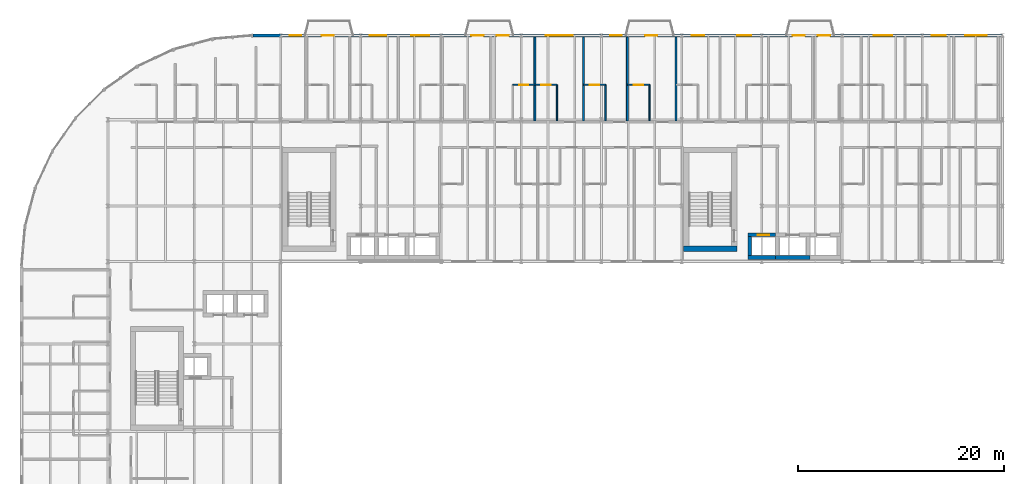
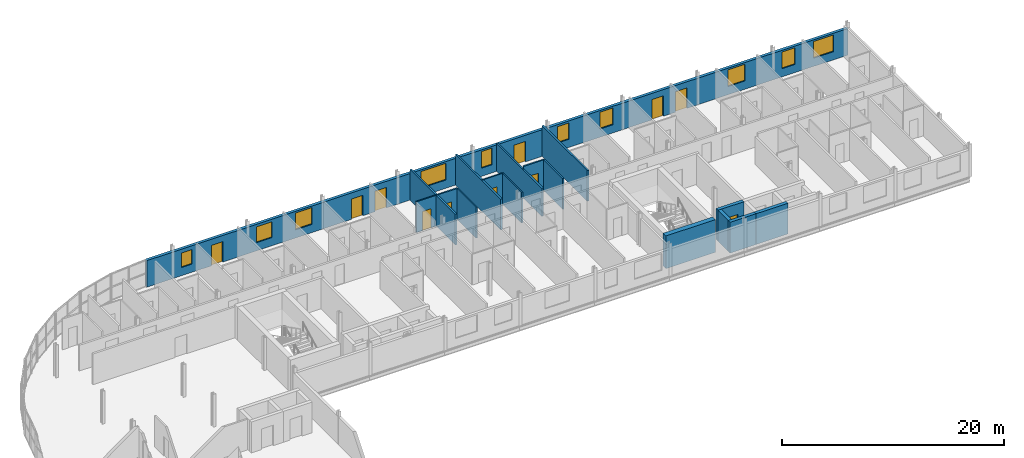
# One storey, part 19 of 25: 17 walls, 11 doors, 10 windows, 21 openings.
"""IFC4 building model written with IfcOpenShell, lengths in metres."""

from ifc_helpers import new_model, si_unit, direction, frame, frame_2d, origin, place, context, subcontext, project, spatial, rectangle, extrude, material, layer, layer_set, type_object, element, fill, save


model = new_model("IFC4")

# Units and contexts
model_context = context("Model", 3, precision=1e-05, world=origin(), true_north=direction((0.0, 1.0)))
body_context = subcontext(model_context, "Body", "Model", "MODEL_VIEW")
ifc_project = project(units=[si_unit("LENGTHUNIT", "METRE"), si_unit("AREAUNIT", "SQUARE_METRE"), si_unit("VOLUMEUNIT", "CUBIC_METRE"), si_unit("PLANEANGLEUNIT", "RADIAN"), si_unit("MASSUNIT", "GRAM", prefix="KILO")], contexts=[model_context])

# Site, building, storey
site_placement = place(None, origin())
site = spatial("IfcSite", under=ifc_project, at=site_placement, CompositionType="ELEMENT")
building_placement = place(site_placement, origin())
building = spatial("IfcBuilding", under=site, at=building_placement, Name="Sefraquen Railside Congress Hotel", CompositionType="ELEMENT")
storey_placement = place(building_placement, frame((0.0, 0.0, 39.0)))
storey = spatial("IfcBuildingStorey", under=building, at=storey_placement, Name="L09", CompositionType="ELEMENT", Elevation=39.0)

# Wall, opening, door
ifc_material_1 = material(Name="Concrete C50/60", Category="concrete")
ifc_layer_1 = layer(ifc_material_1, 0.35009765625)
ifc_layer_set_1 = layer_set([ifc_layer_1], Name="Concrete C50/60")
wall_type_1 = type_object("IfcWallType", Name="TW-CW-350", PredefinedType="SHEAR", material=ifc_layer_set_1)
wall_1_placement = place(storey_placement, frame((70.639892578125, 98.594970703125, 0.0), z_axis=(0.0, 0.0, 1.0), x_axis=(1.0, 0.0, 0.0)))
wall_1 = element("IfcWall", 1, at=wall_1_placement, inside=storey, type_object=wall_type_1, Name="Lift FL-03 shaft wall N L09", PredefinedType="SHEAR", context=body_context, shape_type="SweptSolid", body=[
    extrude(rectangle(XDim=2.690185546875, YDim=0.35009765625, at=frame_2d((1.34521484375, 0.0))), origin(), (0.0, 0.0, 1.0), 3.3798828125),
])
opening_1_placement = place(wall_1_placement, frame((0.969970703125, 0.0, 0.0)))
opening_1 = element("IfcOpeningElement", 2, at=opening_1_placement, cuts=wall_1, Name="Opening LD-01", PredefinedType="OPENING", context=body_context, shape_type="SweptSolid", body=[
    extrude(rectangle(XDim=1.10009765625, YDim=2.199951171875, at=frame_2d((0.550048828125, 1.10009765625))), frame((0.0, 0.18505859375, 0.0), z_axis=(0.0, -1.0, 0.0), x_axis=(1.0, 0.0, 0.0)), (0.0, 0.0, 1.0), 0.3701171875),
])
ifc_material_2 = material(Name="Brushed bronze stainless steel", Category="steel")
door_type_1 = type_object("IfcDoorType", Name="TD-LD-01", OperationType="NOTDEFINED", PredefinedType="DOOR", material=ifc_material_2)
door_1_placement = place(opening_1_placement, origin())
door_1 = element("IfcDoor", 3, at=door_1_placement, inside=storey, type_object=door_type_1, Name="Lift landing door FL-03 L09", OperationType="SLIDING_TO_LEFT", OverallHeight=2.199951171875, OverallWidth=1.10009765625, PredefinedType="DOOR", context=body_context, shape_type="SweptSolid", body=[
    extrude(rectangle(XDim=1.10009765625, YDim=2.199951171875, at=frame_2d((0.550048828125, 1.10009765625))), frame((0.0, 0.02490234375, 0.0), z_axis=(0.0, -1.0, 0.0), x_axis=(1.0, 0.0, 0.0)), (0.0, 0.0, 1.0), 0.050048828125),
])
fill(opening_1, door_1)

# Walls
wall_2_placement = place(storey_placement, frame((70.639892578125, 96.405029296875, 0.0), z_axis=(0.0, 0.0, 1.0), x_axis=(1.0, 0.0, 0.0)))
element("IfcWall", 4, at=wall_2_placement, inside=storey, type_object=wall_type_1, Name="Lift FL-03 shaft wall S L09", PredefinedType="SHEAR", context=body_context, shape_type="SweptSolid", body=[
    extrude(rectangle(XDim=2.690185546875, YDim=0.35009765625, at=frame_2d((1.34521484375, 0.0))), origin(), (0.0, 0.0, 1.0), 3.3798828125),
])
wall_3_placement = place(storey_placement, frame((70.81494140625, 96.580078125, 0.0), z_axis=(0.0, 0.0, 1.0), x_axis=(0.0, 1.0, 0.0)))
element("IfcWall", 5, at=wall_3_placement, inside=storey, type_object=wall_type_1, Name="Lift FL-03 shaft wall W L09", PredefinedType="SHEAR", context=body_context, shape_type="SweptSolid", body=[
    extrude(rectangle(XDim=1.83984375, YDim=0.35009765625, at=frame_2d((0.919921875, 0.0))), origin(), (0.0, 0.0, 1.0), 3.3798828125),
])
wall_4_placement = place(storey_placement, frame((73.330078125, 96.405029296875, 0.0), z_axis=(0.0, 0.0, 1.0), x_axis=(1.0, 0.0, 0.0)))
element("IfcWall", 6, at=wall_4_placement, inside=storey, type_object=wall_type_1, Name="Lift PL-05 shaft wall S L09", PredefinedType="SHEAR", context=body_context, shape_type="SweptSolid", body=[
    extrude(rectangle(XDim=3.33984375, YDim=0.35009765625, at=frame_2d((1.669921875, 0.0))), origin(), (0.0, 0.0, 1.0), 3.3798828125),
])
ifc_layer_2 = layer(ifc_material_1, 0.5)
ifc_layer_set_2 = layer_set([ifc_layer_2], Name="Concrete C50/60")
wall_type_2 = type_object("IfcWallType", Name="TW-CW-500", PredefinedType="SHEAR", material=ifc_layer_set_2)
wall_5_placement = place(storey_placement, frame((64.39990234375, 97.25, 0.0), z_axis=(0.0, 0.0, 1.0), x_axis=(1.0, 0.0, 0.0)))
element("IfcWall", 7, at=wall_5_placement, inside=storey, type_object=wall_type_2, Name="Core shear wall ST-H03 S L09", PredefinedType="SHEAR", context=body_context, shape_type="SweptSolid", body=[
    extrude(rectangle(XDim=5.16015625, YDim=0.5, at=frame_2d((2.580078125, 0.0))), origin(), (0.0, 0.0, 1.0), 3.60009765625),
])

# Wall, openings, doors, windows
ifc_material_3 = material(Name="Ochre Rabat calcarenite limestone and Concrete C40/50 backing", Category="masonry")
ifc_layer_3 = layer(ifc_material_3, 0.300048828125)
ifc_layer_set_3 = layer_set([ifc_layer_3], Name="Ochre Rabat calcarenite limestone and Concrete C40/50 backing")
wall_type_3 = type_object("IfcWallType", Name="TW-EW-300", PredefinedType="STANDARD", material=ifc_layer_set_3)
wall_6_placement = place(storey_placement, frame((22.5, 118.0, 0.0), z_axis=(0.0, 0.0, 1.0), x_axis=(1.0, 0.0, 0.0)))
wall_6 = element("IfcWall", 8, at=wall_6_placement, inside=storey, type_object=wall_type_3, Name="Hotel L09 North Boulevard limestone facade wall", PredefinedType="STANDARD", context=body_context, shape_type="SweptSolid", body=[
    extrude(rectangle(XDim=72.89990234375, YDim=0.300048828125, at=frame_2d((36.449951171875, 0.0))), origin(), (0.0, 0.0, 1.0), 2.919921875),
])
opening_2_placement = place(wall_6_placement, frame((3.60009765625, 0.0, 0.89990234375)))
opening_2 = element("IfcOpeningElement", 9, at=opening_2_placement, cuts=wall_6, Name="Opening WN-22", PredefinedType="OPENING", context=body_context, shape_type="SweptSolid", body=[
    extrude(rectangle(XDim=1.10009765625, YDim=1.60009765625, at=frame_2d((0.550048828125, 0.800048828125))), frame((0.0, 0.159912109375, 0.0), z_axis=(0.0, -1.0, 0.0), x_axis=(1.0, 0.0, 0.0)), (0.0, 0.0, 1.0), 0.320068359375),
])
opening_3_placement = place(wall_6_placement, frame((6.68798828125, 0.0, 0.0)))
opening_3 = element("IfcOpeningElement", 10, at=opening_3_placement, cuts=wall_6, Name="Opening BD-01", PredefinedType="OPENING", context=body_context, shape_type="SweptSolid", body=[
    extrude(rectangle(XDim=1.199951171875, YDim=2.25, at=frame_2d((0.60009765625, 1.125))), frame((0.0, 0.159912109375, 0.0), z_axis=(0.0, -1.0, 0.0), x_axis=(1.0, 0.0, 0.0)), (0.0, 0.0, 1.0), 0.320068359375),
])
opening_4_placement = place(wall_6_placement, frame((11.387939453125, 0.0, 0.89990234375)))
opening_4 = element("IfcOpeningElement", 11, at=opening_4_placement, cuts=wall_6, Name="Opening WN-24", PredefinedType="OPENING", context=body_context, shape_type="SweptSolid", body=[
    extrude(rectangle(XDim=1.60009765625, YDim=1.75, at=frame_2d((0.800048828125, 0.875))), frame((0.0, 0.159912109375, 0.0), z_axis=(0.0, -1.0, 0.0), x_axis=(1.0, 0.0, 0.0)), (0.0, 0.0, 1.0), 0.320068359375),
])
opening_5_placement = place(wall_6_placement, frame((15.4130859375, 0.0, 0.89990234375)))
opening_5 = element("IfcOpeningElement", 12, at=opening_5_placement, cuts=wall_6, Name="Opening WN-25", PredefinedType="OPENING", context=body_context, shape_type="SweptSolid", body=[
    extrude(rectangle(XDim=1.75, YDim=1.840087890625, at=frame_2d((0.875, 0.919921875))), frame((0.0, 0.159912109375, 0.0), z_axis=(0.0, -1.0, 0.0), x_axis=(1.0, 0.0, 0.0)), (0.0, 0.0, 1.0), 0.320068359375),
])
opening_6_placement = place(wall_6_placement, frame((21.2451171875, 0.0, 0.0)))
opening_6 = element("IfcOpeningElement", 13, at=opening_6_placement, cuts=wall_6, Name="Opening BD-01", PredefinedType="OPENING", context=body_context, shape_type="SweptSolid", body=[
    extrude(rectangle(XDim=1.199951171875, YDim=2.25, at=frame_2d((0.60009765625, 1.125))), frame((0.0, 0.159912109375, 0.0), z_axis=(0.0, -1.0, 0.0), x_axis=(1.0, 0.0, 0.0)), (0.0, 0.0, 1.0), 0.320068359375),
])
opening_7_placement = place(wall_6_placement, frame((23.705078125, 0.0, 0.0)))
opening_7 = element("IfcOpeningElement", 14, at=opening_7_placement, cuts=wall_6, Name="Opening BD-01", PredefinedType="OPENING", context=body_context, shape_type="SweptSolid", body=[
    extrude(rectangle(XDim=1.199951171875, YDim=2.25, at=frame_2d((0.60009765625, 1.125))), frame((0.0, 0.159912109375, 0.0), z_axis=(0.0, -1.0, 0.0), x_axis=(1.0, 0.0, 0.0)), (0.0, 0.0, 1.0), 0.320068359375),
])
opening_8_placement = place(wall_6_placement, frame((28.488037109375, 0.0, 0.89990234375)))
opening_8 = element("IfcOpeningElement", 15, at=opening_8_placement, cuts=wall_6, Name="Opening WN-28", PredefinedType="OPENING", context=body_context, shape_type="SweptSolid", body=[
    extrude(rectangle(XDim=2.60009765625, YDim=1.840087890625, at=frame_2d((1.300048828125, 0.919921875))), frame((0.0, 0.159912109375, 0.0), z_axis=(0.0, -1.0, 0.0), x_axis=(1.0, 0.0, 0.0)), (0.0, 0.0, 1.0), 0.320068359375),
])
opening_9_placement = place(wall_6_placement, frame((34.760009765625, 0.0, 0.89990234375)))
opening_9 = element("IfcOpeningElement", 16, at=opening_9_placement, cuts=wall_6, Name="Opening WN-29", PredefinedType="OPENING", context=body_context, shape_type="SweptSolid", body=[
    extrude(rectangle(XDim=1.10009765625, YDim=1.840087890625, at=frame_2d((0.550048828125, 0.919921875))), frame((0.0, 0.159912109375, 0.0), z_axis=(0.0, -1.0, 0.0), x_axis=(1.0, 0.0, 0.0)), (0.0, 0.0, 1.0), 0.320068359375),
])
opening_10_placement = place(wall_6_placement, frame((38.14306640625, 0.0, 0.0)))
opening_10 = element("IfcOpeningElement", 17, at=opening_10_placement, cuts=wall_6, Name="Opening BD-01", PredefinedType="OPENING", context=body_context, shape_type="SweptSolid", body=[
    extrude(rectangle(XDim=1.199951171875, YDim=2.25, at=frame_2d((0.60009765625, 1.125))), frame((0.0, 0.159912109375, 0.0), z_axis=(0.0, -1.0, 0.0), x_axis=(1.0, 0.0, 0.0)), (0.0, 0.0, 1.0), 0.320068359375),
])
opening_11_placement = place(wall_6_placement, frame((42.68701171875, 0.0, 0.89990234375)))
opening_11 = element("IfcOpeningElement", 18, at=opening_11_placement, cuts=wall_6, Name="Opening WN-01", PredefinedType="OPENING", context=body_context, shape_type="SweptSolid", body=[
    extrude(rectangle(XDim=1.199951171875, YDim=1.800048828125, at=frame_2d((0.60009765625, 0.89990234375))), frame((0.0, 0.159912109375, 0.0), z_axis=(0.0, -1.0, 0.0), x_axis=(1.0, 0.0, 0.0)), (0.0, 0.0, 1.0), 0.320068359375),
])
opening_12_placement = place(wall_6_placement, frame((47.112060546875, 0.0, 0.89990234375)))
opening_12 = element("IfcOpeningElement", 19, at=opening_12_placement, cuts=wall_6, Name="Opening WN-02", PredefinedType="OPENING", context=body_context, shape_type="SweptSolid", body=[
    extrude(rectangle(XDim=1.35009765625, YDim=1.840087890625, at=frame_2d((0.675048828125, 0.919921875))), frame((0.0, 0.159912109375, 0.0), z_axis=(0.0, -1.0, 0.0), x_axis=(1.0, 0.0, 0.0)), (0.0, 0.0, 1.0), 0.320068359375),
])
opening_13_placement = place(wall_6_placement, frame((52.48193359375, 0.0, 0.0)))
opening_13 = element("IfcOpeningElement", 20, at=opening_13_placement, cuts=wall_6, Name="Opening BD-01", PredefinedType="OPENING", context=body_context, shape_type="SweptSolid", body=[
    extrude(rectangle(XDim=1.199951171875, YDim=2.25, at=frame_2d((0.60009765625, 1.125))), frame((0.0, 0.159912109375, 0.0), z_axis=(0.0, -1.0, 0.0), x_axis=(1.0, 0.0, 0.0)), (0.0, 0.0, 1.0), 0.320068359375),
])
opening_14_placement = place(wall_6_placement, frame((54.94189453125, 0.0, 0.0)))
opening_14 = element("IfcOpeningElement", 21, at=opening_14_placement, cuts=wall_6, Name="Opening BD-01", PredefinedType="OPENING", context=body_context, shape_type="SweptSolid", body=[
    extrude(rectangle(XDim=1.199951171875, YDim=2.25, at=frame_2d((0.60009765625, 1.125))), frame((0.0, 0.159912109375, 0.0), z_axis=(0.0, -1.0, 0.0), x_axis=(1.0, 0.0, 0.0)), (0.0, 0.0, 1.0), 0.320068359375),
])
opening_15_placement = place(wall_6_placement, frame((60.386962890625, 0.0, 0.89990234375)))
opening_15 = element("IfcOpeningElement", 22, at=opening_15_placement, cuts=wall_6, Name="Opening WN-05", PredefinedType="OPENING", context=body_context, shape_type="SweptSolid", body=[
    extrude(rectangle(XDim=1.800048828125, YDim=1.840087890625, at=frame_2d((0.89990234375, 0.919921875))), frame((0.0, 0.159912109375, 0.0), z_axis=(0.0, -1.0, 0.0), x_axis=(1.0, 0.0, 0.0)), (0.0, 0.0, 1.0), 0.320068359375),
])
opening_16_placement = place(wall_6_placement, frame((66.012939453125, 0.0, 0.89990234375)))
opening_16 = element("IfcOpeningElement", 23, at=opening_16_placement, cuts=wall_6, Name="Opening WN-06", PredefinedType="OPENING", context=body_context, shape_type="SweptSolid", body=[
    extrude(rectangle(XDim=1.35009765625, YDim=1.840087890625, at=frame_2d((0.675048828125, 0.919921875))), frame((0.0, 0.159912109375, 0.0), z_axis=(0.0, -1.0, 0.0), x_axis=(1.0, 0.0, 0.0)), (0.0, 0.0, 1.0), 0.320068359375),
])
opening_17_placement = place(wall_6_placement, frame((69.27490234375, 0.0, 0.89990234375)))
opening_17 = element("IfcOpeningElement", 24, at=opening_17_placement, cuts=wall_6, Name="Opening WN-07", PredefinedType="OPENING", context=body_context, shape_type="SweptSolid", body=[
    extrude(rectangle(XDim=2.10009765625, YDim=1.840087890625, at=frame_2d((1.050048828125, 0.919921875))), frame((0.0, 0.159912109375, 0.0), z_axis=(0.0, -1.0, 0.0), x_axis=(1.0, 0.0, 0.0)), (0.0, 0.0, 1.0), 0.320068359375),
])
ifc_material_4 = material(Name="Bronze and low-E fire-rated glass", Category="glass")
door_type_2 = type_object("IfcDoorType", Name="TD-BD-01", OperationType="NOTDEFINED", PredefinedType="DOOR", material=ifc_material_4)
door_2_placement = place(opening_3_placement, origin())
door_2 = element("IfcDoor", 25, at=door_2_placement, inside=storey, type_object=door_type_2, Name="Guest balcony glazed door SP-L09-RM-002", OperationType="SINGLE_SWING_RIGHT", OverallHeight=2.25, OverallWidth=1.199951171875, PredefinedType="DOOR", context=body_context, shape_type="SweptSolid", body=[
    extrude(rectangle(XDim=1.199951171875, YDim=2.25, at=frame_2d((0.60009765625, 1.125))), frame((0.0, 0.02490234375, 0.0), z_axis=(0.0, -1.0, 0.0), x_axis=(1.0, 0.0, 0.0)), (0.0, 0.0, 1.0), 0.050048828125),
])
fill(opening_3, door_2)
door_3_placement = place(opening_6_placement, origin())
door_3 = element("IfcDoor", 26, at=door_3_placement, inside=storey, type_object=door_type_2, Name="Guest balcony glazed door SP-L09-RM-005", OperationType="SINGLE_SWING_LEFT", OverallHeight=2.25, OverallWidth=1.199951171875, PredefinedType="DOOR", context=body_context, shape_type="SweptSolid", body=[
    extrude(rectangle(XDim=1.199951171875, YDim=2.25, at=frame_2d((0.60009765625, 1.125))), frame((0.0, 0.02490234375, 0.0), z_axis=(0.0, -1.0, 0.0), x_axis=(1.0, 0.0, 0.0)), (0.0, 0.0, 1.0), 0.050048828125),
])
fill(opening_6, door_3)
door_4_placement = place(opening_7_placement, origin())
door_4 = element("IfcDoor", 27, at=door_4_placement, inside=storey, type_object=door_type_2, Name="Guest balcony glazed door SP-L09-RM-006", OperationType="SINGLE_SWING_RIGHT", OverallHeight=2.25, OverallWidth=1.199951171875, PredefinedType="DOOR", context=body_context, shape_type="SweptSolid", body=[
    extrude(rectangle(XDim=1.199951171875, YDim=2.25, at=frame_2d((0.60009765625, 1.125))), frame((0.0, 0.02490234375, 0.0), z_axis=(0.0, -1.0, 0.0), x_axis=(1.0, 0.0, 0.0)), (0.0, 0.0, 1.0), 0.050048828125),
])
fill(opening_7, door_4)
door_5_placement = place(opening_10_placement, origin())
door_5 = element("IfcDoor", 28, at=door_5_placement, inside=storey, type_object=door_type_2, Name="Guest balcony glazed door SP-L09-RM-009", OperationType="SINGLE_SWING_LEFT", OverallHeight=2.25, OverallWidth=1.199951171875, PredefinedType="DOOR", context=body_context, shape_type="SweptSolid", body=[
    extrude(rectangle(XDim=1.199951171875, YDim=2.25, at=frame_2d((0.60009765625, 1.125))), frame((0.0, 0.02490234375, 0.0), z_axis=(0.0, -1.0, 0.0), x_axis=(1.0, 0.0, 0.0)), (0.0, 0.0, 1.0), 0.050048828125),
])
fill(opening_10, door_5)
door_6_placement = place(opening_13_placement, origin())
door_6 = element("IfcDoor", 29, at=door_6_placement, inside=storey, type_object=door_type_2, Name="Guest balcony glazed door SP-L09-RM-012", OperationType="SINGLE_SWING_RIGHT", OverallHeight=2.25, OverallWidth=1.199951171875, PredefinedType="DOOR", context=body_context, shape_type="SweptSolid", body=[
    extrude(rectangle(XDim=1.199951171875, YDim=2.25, at=frame_2d((0.60009765625, 1.125))), frame((0.0, 0.02490234375, 0.0), z_axis=(0.0, -1.0, 0.0), x_axis=(1.0, 0.0, 0.0)), (0.0, 0.0, 1.0), 0.050048828125),
])
fill(opening_13, door_6)
door_7_placement = place(opening_14_placement, origin())
door_7 = element("IfcDoor", 30, at=door_7_placement, inside=storey, type_object=door_type_2, Name="Guest balcony glazed door SP-L09-RM-013", OperationType="SINGLE_SWING_LEFT", OverallHeight=2.25, OverallWidth=1.199951171875, PredefinedType="DOOR", context=body_context, shape_type="SweptSolid", body=[
    extrude(rectangle(XDim=1.199951171875, YDim=2.25, at=frame_2d((0.60009765625, 1.125))), frame((0.0, 0.02490234375, 0.0), z_axis=(0.0, -1.0, 0.0), x_axis=(1.0, 0.0, 0.0)), (0.0, 0.0, 1.0), 0.050048828125),
])
fill(opening_14, door_7)
ifc_material_5 = material(Name="Solar-control low-E double glazing in bronze-anodised frame", Category="glass")
window_type_1 = type_object("IfcWindowType", Name="TWN-W-01", PartitioningType="DOUBLE_PANEL_VERTICAL", PredefinedType="WINDOW", material=ifc_material_5)
window_1_placement = place(opening_11_placement, origin())
window_1 = element("IfcWindow", 31, at=window_1_placement, inside=storey, type_object=window_type_1, Name="Guest room north window SP-L09-RM-010", OverallHeight=1.800048828125, OverallWidth=1.199951171875, PartitioningType="DOUBLE_PANEL_VERTICAL", PredefinedType="WINDOW", context=body_context, shape_type="SweptSolid", body=[
    extrude(rectangle(XDim=1.199951171875, YDim=1.800048828125, at=frame_2d((0.60009765625, 0.89990234375))), frame((0.0, 0.030029296875, 0.0), z_axis=(0.0, -1.0, 0.0), x_axis=(1.0, 0.0, 0.0)), (0.0, 0.0, 1.0), 0.06005859375),
])
fill(opening_11, window_1)
window_type_2 = type_object("IfcWindowType", Name="TWN-W-02", PartitioningType="DOUBLE_PANEL_VERTICAL", PredefinedType="WINDOW", material=ifc_material_5)
window_2_placement = place(opening_12_placement, origin())
window_2 = element("IfcWindow", 32, at=window_2_placement, inside=storey, type_object=window_type_2, Name="Guest room north window SP-L09-RM-011", OverallHeight=1.840087890625, OverallWidth=1.35009765625, PartitioningType="DOUBLE_PANEL_VERTICAL", PredefinedType="WINDOW", context=body_context, shape_type="SweptSolid", body=[
    extrude(rectangle(XDim=1.35009765625, YDim=1.840087890625, at=frame_2d((0.675048828125, 0.919921875))), frame((0.0, 0.030029296875, 0.0), z_axis=(0.0, -1.0, 0.0), x_axis=(1.0, 0.0, 0.0)), (0.0, 0.0, 1.0), 0.06005859375),
])
fill(opening_12, window_2)
window_type_3 = type_object("IfcWindowType", Name="TWN-W-05", PartitioningType="DOUBLE_PANEL_VERTICAL", PredefinedType="WINDOW", material=ifc_material_5)
window_3_placement = place(opening_15_placement, origin())
window_3 = element("IfcWindow", 33, at=window_3_placement, inside=storey, type_object=window_type_3, Name="Guest room north window SP-L09-RM-014", OverallHeight=1.840087890625, OverallWidth=1.800048828125, PartitioningType="DOUBLE_PANEL_VERTICAL", PredefinedType="WINDOW", context=body_context, shape_type="SweptSolid", body=[
    extrude(rectangle(XDim=1.800048828125, YDim=1.840087890625, at=frame_2d((0.89990234375, 0.919921875))), frame((0.0, 0.030029296875, 0.0), z_axis=(0.0, -1.0, 0.0), x_axis=(1.0, 0.0, 0.0)), (0.0, 0.0, 1.0), 0.06005859375),
])
fill(opening_15, window_3)
window_type_4 = type_object("IfcWindowType", Name="TWN-W-06", PartitioningType="DOUBLE_PANEL_VERTICAL", PredefinedType="WINDOW", material=ifc_material_5)
window_4_placement = place(opening_16_placement, origin())
window_4 = element("IfcWindow", 34, at=window_4_placement, inside=storey, type_object=window_type_4, Name="Guest room north window SP-L09-RM-015", OverallHeight=1.840087890625, OverallWidth=1.35009765625, PartitioningType="DOUBLE_PANEL_VERTICAL", PredefinedType="WINDOW", context=body_context, shape_type="SweptSolid", body=[
    extrude(rectangle(XDim=1.35009765625, YDim=1.840087890625, at=frame_2d((0.675048828125, 0.919921875))), frame((0.0, 0.030029296875, 0.0), z_axis=(0.0, -1.0, 0.0), x_axis=(1.0, 0.0, 0.0)), (0.0, 0.0, 1.0), 0.06005859375),
])
fill(opening_16, window_4)
window_type_5 = type_object("IfcWindowType", Name="TWN-W-07", PartitioningType="DOUBLE_PANEL_VERTICAL", PredefinedType="WINDOW", material=ifc_material_5)
window_5_placement = place(opening_17_placement, origin())
window_5 = element("IfcWindow", 35, at=window_5_placement, inside=storey, type_object=window_type_5, Name="Guest room north window SP-L09-RM-016", OverallHeight=1.840087890625, OverallWidth=2.10009765625, PartitioningType="DOUBLE_PANEL_VERTICAL", PredefinedType="WINDOW", context=body_context, shape_type="SweptSolid", body=[
    extrude(rectangle(XDim=2.10009765625, YDim=1.840087890625, at=frame_2d((1.050048828125, 0.919921875))), frame((0.0, 0.030029296875, 0.0), z_axis=(0.0, -1.0, 0.0), x_axis=(1.0, 0.0, 0.0)), (0.0, 0.0, 1.0), 0.06005859375),
])
fill(opening_17, window_5)
window_type_6 = type_object("IfcWindowType", Name="TWN-W-22", PartitioningType="DOUBLE_PANEL_VERTICAL", PredefinedType="WINDOW", material=ifc_material_5)
window_6_placement = place(opening_2_placement, origin())
window_6 = element("IfcWindow", 36, at=window_6_placement, inside=storey, type_object=window_type_6, Name="Guest room north window SP-L09-RM-001", OverallHeight=1.60009765625, OverallWidth=1.10009765625, PartitioningType="DOUBLE_PANEL_VERTICAL", PredefinedType="WINDOW", context=body_context, shape_type="SweptSolid", body=[
    extrude(rectangle(XDim=1.10009765625, YDim=1.60009765625, at=frame_2d((0.550048828125, 0.800048828125))), frame((0.0, 0.030029296875, 0.0), z_axis=(0.0, -1.0, 0.0), x_axis=(1.0, 0.0, 0.0)), (0.0, 0.0, 1.0), 0.06005859375),
])
fill(opening_2, window_6)
window_type_7 = type_object("IfcWindowType", Name="TWN-W-24", PartitioningType="DOUBLE_PANEL_VERTICAL", PredefinedType="WINDOW", material=ifc_material_5)
window_7_placement = place(opening_4_placement, origin())
window_7 = element("IfcWindow", 37, at=window_7_placement, inside=storey, type_object=window_type_7, Name="Guest room north window SP-L09-RM-003", OverallHeight=1.75, OverallWidth=1.60009765625, PartitioningType="DOUBLE_PANEL_VERTICAL", PredefinedType="WINDOW", context=body_context, shape_type="SweptSolid", body=[
    extrude(rectangle(XDim=1.60009765625, YDim=1.75, at=frame_2d((0.800048828125, 0.875))), frame((0.0, 0.030029296875, 0.0), z_axis=(0.0, -1.0, 0.0), x_axis=(1.0, 0.0, 0.0)), (0.0, 0.0, 1.0), 0.06005859375),
])
fill(opening_4, window_7)
window_type_8 = type_object("IfcWindowType", Name="TWN-W-25", PartitioningType="DOUBLE_PANEL_VERTICAL", PredefinedType="WINDOW", material=ifc_material_5)
window_8_placement = place(opening_5_placement, origin())
window_8 = element("IfcWindow", 38, at=window_8_placement, inside=storey, type_object=window_type_8, Name="Guest room north window SP-L09-RM-004", OverallHeight=1.840087890625, OverallWidth=1.75, PartitioningType="DOUBLE_PANEL_VERTICAL", PredefinedType="WINDOW", context=body_context, shape_type="SweptSolid", body=[
    extrude(rectangle(XDim=1.75, YDim=1.840087890625, at=frame_2d((0.875, 0.919921875))), frame((0.0, 0.030029296875, 0.0), z_axis=(0.0, -1.0, 0.0), x_axis=(1.0, 0.0, 0.0)), (0.0, 0.0, 1.0), 0.06005859375),
])
fill(opening_5, window_8)
window_type_9 = type_object("IfcWindowType", Name="TWN-W-28", PartitioningType="DOUBLE_PANEL_VERTICAL", PredefinedType="WINDOW", material=ifc_material_5)
window_9_placement = place(opening_8_placement, origin())
window_9 = element("IfcWindow", 39, at=window_9_placement, inside=storey, type_object=window_type_9, Name="Guest room north window SP-L09-RM-007", OverallHeight=1.840087890625, OverallWidth=2.60009765625, PartitioningType="DOUBLE_PANEL_VERTICAL", PredefinedType="WINDOW", context=body_context, shape_type="SweptSolid", body=[
    extrude(rectangle(XDim=2.60009765625, YDim=1.840087890625, at=frame_2d((1.300048828125, 0.919921875))), frame((0.0, 0.030029296875, 0.0), z_axis=(0.0, -1.0, 0.0), x_axis=(1.0, 0.0, 0.0)), (0.0, 0.0, 1.0), 0.06005859375),
])
fill(opening_8, window_9)
window_type_10 = type_object("IfcWindowType", Name="TWN-W-29", PartitioningType="DOUBLE_PANEL_VERTICAL", PredefinedType="WINDOW", material=ifc_material_5)
window_10_placement = place(opening_9_placement, origin())
window_10 = element("IfcWindow", 40, at=window_10_placement, inside=storey, type_object=window_type_10, Name="Guest room north window SP-L09-RM-008", OverallHeight=1.840087890625, OverallWidth=1.10009765625, PartitioningType="DOUBLE_PANEL_VERTICAL", PredefinedType="WINDOW", context=body_context, shape_type="SweptSolid", body=[
    extrude(rectangle(XDim=1.10009765625, YDim=1.840087890625, at=frame_2d((0.550048828125, 0.919921875))), frame((0.0, 0.030029296875, 0.0), z_axis=(0.0, -1.0, 0.0), x_axis=(1.0, 0.0, 0.0)), (0.0, 0.0, 1.0), 0.06005859375),
])
fill(opening_9, window_10)

# Wall, opening, door
ifc_material_6 = material(Name="Moisture-resistant gypsum board", Category="gypsum")
ifc_layer_4 = layer(ifc_material_6, 0.139892578125)
ifc_layer_set_4 = layer_set([ifc_layer_4], Name="Moisture-resistant gypsum board")
wall_type_4 = type_object("IfcWallType", Name="TW-PW-140", PredefinedType="PARTITIONING", material=ifc_layer_set_4)
wall_7_placement = place(storey_placement, frame((47.77490234375, 113.199951171875, 0.0), z_axis=(0.0, 0.0, 1.0), x_axis=(1.0, 0.0, 0.0)))
wall_7 = element("IfcWall", 41, at=wall_7_placement, inside=storey, type_object=wall_type_4, Name="En-suite bathroom north wall RM-006", PredefinedType="PARTITIONING", context=body_context, shape_type="SweptSolid", body=[
    extrude(rectangle(XDim=2.150146484375, YDim=0.139892578125, at=frame_2d((1.0751953125, 0.0))), origin(), (0.0, 0.0, 1.0), 3.3798828125),
])
opening_18_placement = place(wall_7_placement, frame((0.625, 0.0, 0.0)))
opening_18 = element("IfcOpeningElement", 42, at=opening_18_placement, cuts=wall_7, Name="Opening ID-02", PredefinedType="OPENING", context=body_context, shape_type="SweptSolid", body=[
    extrude(rectangle(XDim=0.89990234375, YDim=2.10009765625, at=frame_2d((0.449951171875, 1.050048828125))), frame((0.0, 0.079833984375, 0.0), z_axis=(0.0, -1.0, 0.0), x_axis=(1.0, 0.0, 0.0)), (0.0, 0.0, 1.0), 0.159912109375),
])
ifc_material_7 = material(Name="Lacquered cedar joinery", Category="wood")
door_type_3 = type_object("IfcDoorType", Name="TD-ID-02", OperationType="NOTDEFINED", PredefinedType="DOOR", material=ifc_material_7)
door_8_placement = place(opening_18_placement, origin())
door_8 = element("IfcDoor", 43, at=door_8_placement, inside=storey, type_object=door_type_3, Name="En-suite bathroom door RM-006", OperationType="SINGLE_SWING_LEFT", OverallHeight=2.10009765625, OverallWidth=0.89990234375, PredefinedType="DOOR", context=body_context, shape_type="SweptSolid", body=[
    extrude(rectangle(XDim=0.89990234375, YDim=2.10009765625, at=frame_2d((0.449951171875, 1.050048828125))), frame((0.0, 0.02490234375, 0.0), z_axis=(0.0, -1.0, 0.0), x_axis=(1.0, 0.0, 0.0)), (0.0, 0.0, 1.0), 0.050048828125),
])
fill(opening_18, door_8)

# Wall
wall_8_placement = place(storey_placement, frame((52.074951171875, 109.699951171875, 0.0), z_axis=(0.0, 0.0, 1.0), x_axis=(0.0, 1.0, 0.0)))
element("IfcWall", 44, at=wall_8_placement, inside=storey, type_object=wall_type_4, Name="En-suite bathroom east wall RM-007", PredefinedType="PARTITIONING", context=body_context, shape_type="SweptSolid", body=[
    extrude(rectangle(XDim=3.5, YDim=0.139892578125, at=frame_2d((1.75, 0.0))), origin(), (0.0, 0.0, 1.0), 3.3798828125),
])

# Wall, opening, door
wall_9_placement = place(storey_placement, frame((49.925048828125, 113.199951171875, 0.0), z_axis=(0.0, 0.0, 1.0), x_axis=(1.0, 0.0, 0.0)))
wall_9 = element("IfcWall", 45, at=wall_9_placement, inside=storey, type_object=wall_type_4, Name="En-suite bathroom north wall RM-007", PredefinedType="PARTITIONING", context=body_context, shape_type="SweptSolid", body=[
    extrude(rectangle(XDim=2.14990234375, YDim=0.139892578125, at=frame_2d((1.074951171875, 0.0))), origin(), (0.0, 0.0, 1.0), 3.3798828125),
])
opening_19_placement = place(wall_9_placement, frame((0.625, 0.0, 0.0)))
opening_19 = element("IfcOpeningElement", 46, at=opening_19_placement, cuts=wall_9, Name="Opening ID-02", PredefinedType="OPENING", context=body_context, shape_type="SweptSolid", body=[
    extrude(rectangle(XDim=0.89990234375, YDim=2.10009765625, at=frame_2d((0.449951171875, 1.050048828125))), frame((0.0, 0.079833984375, 0.0), z_axis=(0.0, -1.0, 0.0), x_axis=(1.0, 0.0, 0.0)), (0.0, 0.0, 1.0), 0.159912109375),
])
door_9_placement = place(opening_19_placement, origin())
door_9 = element("IfcDoor", 47, at=door_9_placement, inside=storey, type_object=door_type_3, Name="En-suite bathroom door RM-007", OperationType="SINGLE_SWING_LEFT", OverallHeight=2.10009765625, OverallWidth=0.89990234375, PredefinedType="DOOR", context=body_context, shape_type="SweptSolid", body=[
    extrude(rectangle(XDim=0.89990234375, YDim=2.10009765625, at=frame_2d((0.449951171875, 1.050048828125))), frame((0.0, 0.02490234375, 0.0), z_axis=(0.0, -1.0, 0.0), x_axis=(1.0, 0.0, 0.0)), (0.0, 0.0, 1.0), 0.050048828125),
])
fill(opening_19, door_9)

# Wall
wall_10_placement = place(storey_placement, frame((56.800048828125, 109.699951171875, 0.0), z_axis=(0.0, 0.0, 1.0), x_axis=(0.0, 1.0, 0.0)))
element("IfcWall", 48, at=wall_10_placement, inside=storey, type_object=wall_type_4, Name="En-suite bathroom east wall RM-008", PredefinedType="PARTITIONING", context=body_context, shape_type="SweptSolid", body=[
    extrude(rectangle(XDim=3.5, YDim=0.139892578125, at=frame_2d((1.75, 0.0))), origin(), (0.0, 0.0, 1.0), 3.3798828125),
])

# Wall, opening, door
wall_11_placement = place(storey_placement, frame((54.64990234375, 113.199951171875, 0.0), z_axis=(0.0, 0.0, 1.0), x_axis=(1.0, 0.0, 0.0)))
wall_11 = element("IfcWall", 49, at=wall_11_placement, inside=storey, type_object=wall_type_4, Name="En-suite bathroom north wall RM-008", PredefinedType="PARTITIONING", context=body_context, shape_type="SweptSolid", body=[
    extrude(rectangle(XDim=2.150146484375, YDim=0.139892578125, at=frame_2d((1.0751953125, 0.0))), origin(), (0.0, 0.0, 1.0), 3.3798828125),
])
opening_20_placement = place(wall_11_placement, frame((0.625, 0.0, 0.0)))
opening_20 = element("IfcOpeningElement", 50, at=opening_20_placement, cuts=wall_11, Name="Opening ID-02", PredefinedType="OPENING", context=body_context, shape_type="SweptSolid", body=[
    extrude(rectangle(XDim=0.89990234375, YDim=2.10009765625, at=frame_2d((0.449951171875, 1.050048828125))), frame((0.0, 0.079833984375, 0.0), z_axis=(0.0, -1.0, 0.0), x_axis=(1.0, 0.0, 0.0)), (0.0, 0.0, 1.0), 0.159912109375),
])
door_10_placement = place(opening_20_placement, origin())
door_10 = element("IfcDoor", 51, at=door_10_placement, inside=storey, type_object=door_type_3, Name="En-suite bathroom door RM-008", OperationType="SINGLE_SWING_LEFT", OverallHeight=2.10009765625, OverallWidth=0.89990234375, PredefinedType="DOOR", context=body_context, shape_type="SweptSolid", body=[
    extrude(rectangle(XDim=0.89990234375, YDim=2.10009765625, at=frame_2d((0.449951171875, 1.050048828125))), frame((0.0, 0.02490234375, 0.0), z_axis=(0.0, -1.0, 0.0), x_axis=(1.0, 0.0, 0.0)), (0.0, 0.0, 1.0), 0.050048828125),
])
fill(opening_20, door_10)

# Wall
wall_12_placement = place(storey_placement, frame((61.074951171875, 109.699951171875, 0.0), z_axis=(0.0, 0.0, 1.0), x_axis=(0.0, 1.0, 0.0)))
element("IfcWall", 52, at=wall_12_placement, inside=storey, type_object=wall_type_4, Name="En-suite bathroom east wall RM-009", PredefinedType="PARTITIONING", context=body_context, shape_type="SweptSolid", body=[
    extrude(rectangle(XDim=3.5, YDim=0.139892578125, at=frame_2d((1.75, 0.0))), origin(), (0.0, 0.0, 1.0), 3.3798828125),
])

# Wall, opening, door
wall_13_placement = place(storey_placement, frame((58.925048828125, 113.199951171875, 0.0), z_axis=(0.0, 0.0, 1.0), x_axis=(1.0, 0.0, 0.0)))
wall_13 = element("IfcWall", 53, at=wall_13_placement, inside=storey, type_object=wall_type_4, Name="En-suite bathroom north wall RM-009", PredefinedType="PARTITIONING", context=body_context, shape_type="SweptSolid", body=[
    extrude(rectangle(XDim=2.14990234375, YDim=0.139892578125, at=frame_2d((1.074951171875, 0.0))), origin(), (0.0, 0.0, 1.0), 3.3798828125),
])
opening_21_placement = place(wall_13_placement, frame((0.625, 0.0, 0.0)))
opening_21 = element("IfcOpeningElement", 54, at=opening_21_placement, cuts=wall_13, Name="Opening ID-02", PredefinedType="OPENING", context=body_context, shape_type="SweptSolid", body=[
    extrude(rectangle(XDim=0.89990234375, YDim=2.10009765625, at=frame_2d((0.449951171875, 1.050048828125))), frame((0.0, 0.079833984375, 0.0), z_axis=(0.0, -1.0, 0.0), x_axis=(1.0, 0.0, 0.0)), (0.0, 0.0, 1.0), 0.159912109375),
])
door_11_placement = place(opening_21_placement, origin())
door_11 = element("IfcDoor", 55, at=door_11_placement, inside=storey, type_object=door_type_3, Name="En-suite bathroom door RM-009", OperationType="SINGLE_SWING_LEFT", OverallHeight=2.10009765625, OverallWidth=0.89990234375, PredefinedType="DOOR", context=body_context, shape_type="SweptSolid", body=[
    extrude(rectangle(XDim=0.89990234375, YDim=2.10009765625, at=frame_2d((0.449951171875, 1.050048828125))), frame((0.0, 0.02490234375, 0.0), z_axis=(0.0, -1.0, 0.0), x_axis=(1.0, 0.0, 0.0)), (0.0, 0.0, 1.0), 0.050048828125),
])
fill(opening_21, door_11)

# Walls
ifc_material_8 = material(Name="Acoustic gypsum board on metal stud", Category="gypsum")
ifc_layer_5 = layer(ifc_material_8, 0.179931640625)
ifc_layer_set_5 = layer_set([ifc_layer_5], Name="Acoustic gypsum board on metal stud")
wall_type_5 = type_object("IfcWallType", Name="TW-PW-180", PredefinedType="PARTITIONING", material=ifc_layer_set_5)
for number, where, z_axis, x_axis, name in (
    (56, (49.925048828125, 109.699951171875, 0.0), (0.0, 0.0, 1.0), (0.0, 1.0, 0.0), "Guest room demising wall RM-006"),
    (57, (54.64990234375, 109.699951171875, 0.0), (0.0, 0.0, 1.0), (0.0, 1.0, 0.0), "Guest room demising wall RM-007"),
):
    element("IfcWall", number, at=place(storey_placement, frame(where, z_axis=z_axis, x_axis=x_axis)), inside=storey, type_object=wall_type_5, Name=name, PredefinedType="PARTITIONING", context=body_context, shape_type="SweptSolid", body=[
        extrude(rectangle(XDim=8.150146484375, YDim=0.179931640625, at=frame_2d((4.0751953125, 0.0))), origin(), (0.0, 0.0, 1.0), 3.3798828125),
    ])
wall_14_placement = place(storey_placement, frame((58.925048828125, 109.699951171875, 0.0), z_axis=(0.0, 0.0, 1.0), x_axis=(0.0, 1.0, 0.0)))
element("IfcWall", 58, at=wall_14_placement, inside=storey, type_object=wall_type_5, Name="Guest room demising wall RM-008", PredefinedType="PARTITIONING", context=body_context, shape_type="SweptSolid", body=[
    extrude(rectangle(XDim=8.150146484375, YDim=0.179931640625, at=frame_2d((4.0751953125, 0.0))), origin(), (0.0, 0.0, 1.0), 3.070068359375),
])
wall_15_placement = place(storey_placement, frame((63.64990234375, 109.699951171875, 0.0), z_axis=(0.0, 0.0, 1.0), x_axis=(0.0, 1.0, 0.0)))
element("IfcWall", 59, at=wall_15_placement, inside=storey, type_object=wall_type_5, Name="Guest room demising wall RM-009", PredefinedType="PARTITIONING", context=body_context, shape_type="SweptSolid", body=[
    extrude(rectangle(XDim=8.150146484375, YDim=0.179931640625, at=frame_2d((4.0751953125, 0.0))), origin(), (0.0, 0.0, 1.0), 3.3798828125),
])

save(model, "model.ifc")
